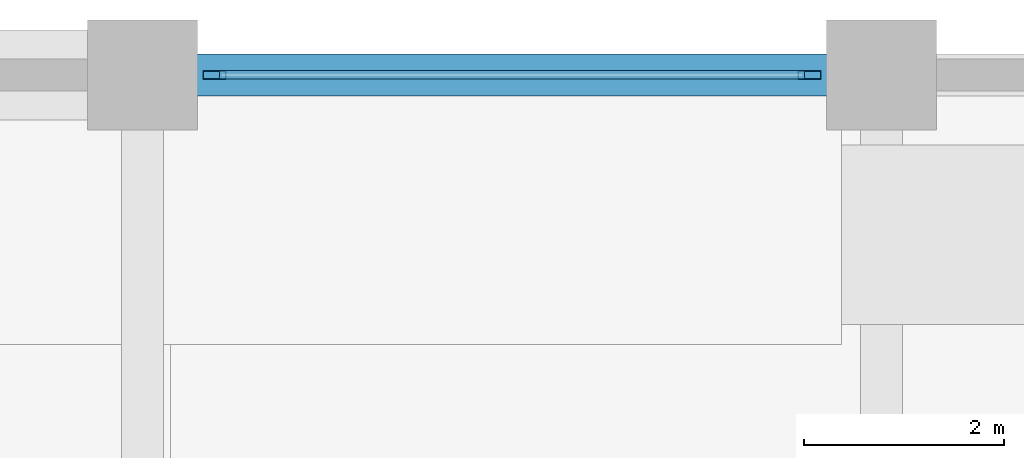
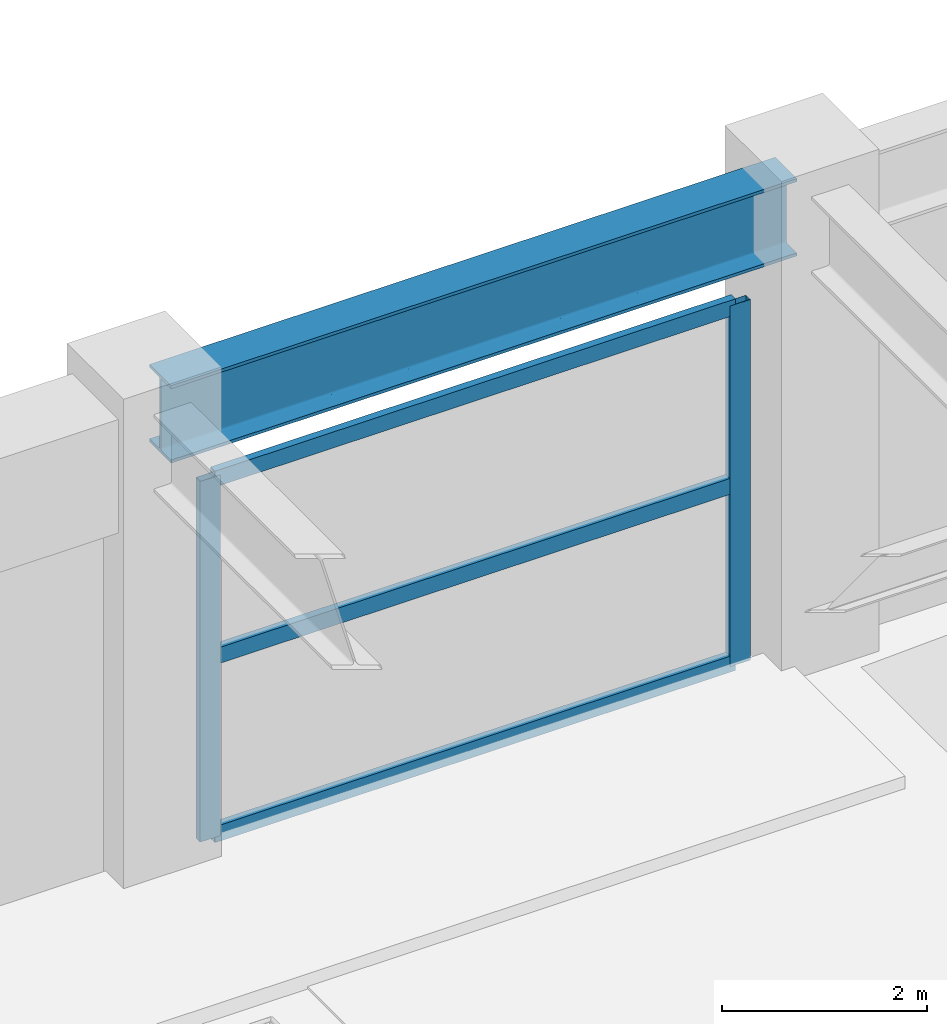
# One storey, part 19 of 41: 5 members, 1 beam, 1 element without a shape of its own.
"""IFC4 building model written with IfcOpenShell, lengths in metres."""

from ifc_helpers import new_model, si_unit, direction, frame, origin, origin_2d, place, context, subcontext, project, spatial, hollow_rectangle, i_section, extrude, material, material_profile, profile_set, type_object, element, aggregate, save


model = new_model("IFC4")

# Units and contexts
model_context = context("Model", 3, precision=1e-05, world=origin(), true_north=direction((0.0, 1.0)))
body_context = subcontext(model_context, "Body", "Model", "MODEL_VIEW")
ifc_project = project(units=[si_unit("LENGTHUNIT", "METRE"), si_unit("AREAUNIT", "SQUARE_METRE"), si_unit("VOLUMEUNIT", "CUBIC_METRE"), si_unit("PLANEANGLEUNIT", "RADIAN"), si_unit("MASSUNIT", "GRAM", prefix="KILO")], contexts=[model_context])

# Site, building, storey
site_placement = place(None, origin())
site = spatial("IfcSite", under=ifc_project, at=site_placement, CompositionType="ELEMENT")
building_placement = place(site_placement, origin())
building = spatial("IfcBuilding", under=site, at=building_placement, Name="Kovane Verandah Tower", CompositionType="ELEMENT")
storey_placement = place(building_placement, origin())
storey = spatial("IfcBuildingStorey", under=building, at=storey_placement, Name="L00", CompositionType="ELEMENT", Elevation=0.0)

# Beam
ifc_material_1 = material(Name="Steel S460", Category="steel")
ifc_material_profile_1 = material_profile(ifc_material_1, i_section(OverallWidth=0.42041015625, OverallDepth=0.9208984375, WebThickness=0.021484375, FlangeThickness=0.03662109375, FilletRadius=0.024169921875, at=origin_2d()), Name="UB914x419x388")
ifc_profile_set_1 = profile_set([ifc_material_profile_1], Name="Steel S460")
beam_type = type_object("IfcBeamType", Name="BM-UB914x388", PredefinedType="BEAM", material=ifc_profile_set_1)
beam_placement = place(storey_placement, frame((51.179931640625, 56.5, 5.239501953125), z_axis=(1.0, 0.0, 0.0), x_axis=(0.0, 1.0, 0.0)))
element("IfcBeam", 1, at=beam_placement, inside=storey, type_object=beam_type, Name="L00 Podium Grid Girder X28", PredefinedType="BEAM", context=body_context, shape_type="SweptSolid", body=[
    extrude(i_section(OverallWidth=0.42041015625, OverallDepth=0.9208984375, WebThickness=0.021484375, FlangeThickness=0.03662109375, FilletRadius=0.024169921875, at=origin_2d()), origin(), (0.0, 0.0, 1.0), 7.0400390625),
])

# Curtain wall, members
ifc_material_2 = material(Name="Champagne Anodised Aluminium Frame with Low-E Clear Laminated Glass", Category="aluminium")
curtain_wall_type = type_object("IfcCurtainWallType", Name="CW-SYS-01-POD", PredefinedType="NOTDEFINED", material=ifc_material_2)
curtain_wall_placement = place(storey_placement, origin())
curtain_wall = element("IfcCurtainWall", 2, at=curtain_wall_placement, inside=storey, type_object=curtain_wall_type, Name="Ground North Shopfront Curtain Wall Bay 5", PredefinedType="NOTDEFINED")
ifc_material_3 = material(Name="Champagne Anodised Aluminium 6063-T6", Category="aluminium")
ifc_material_profile_2 = material_profile(ifc_material_3, hollow_rectangle(XDim=0.0849609375, YDim=0.22998046875, WallThickness=0.00390625, at=origin_2d()), Name="AL85x230x4")
ifc_profile_set_2 = profile_set([ifc_material_profile_2], Name="Champagne Anodised Aluminium 6063-T6")
member_type_1 = type_object("IfcMemberType", Name="CW-MUL-85x230", PredefinedType="MULLION", material=ifc_profile_set_2)
member_1_placement = place(storey_placement, frame((57.679931640625, 56.5, 0.02001953125), z_axis=(0.0, 0.0, 1.0), x_axis=(0.0, 1.0, 0.0)))
member_1 = element("IfcMember", 3, at=member_1_placement, type_object=member_type_1, Name="Ground North Shopfront Curtain Wall Bay 5 Mullion 1", PredefinedType="MULLION", context=body_context, shape_type="SweptSolid", body=[
    extrude(hollow_rectangle(XDim=0.0849609375, YDim=0.22998046875, WallThickness=0.00390625, at=origin_2d()), origin(), (0.0, 0.0, 1.0), 4.2900390625),
])
member_2_placement = place(storey_placement, frame((51.719970703125, 56.5, 0.02001953125), z_axis=(0.0, 0.0, 1.0), x_axis=(0.0, 1.0, 0.0)))
member_2 = element("IfcMember", 4, at=member_2_placement, type_object=member_type_1, Name="Ground North Shopfront Curtain Wall Bay 5 Mullion 2", PredefinedType="MULLION", context=body_context, shape_type="SweptSolid", body=[
    extrude(hollow_rectangle(XDim=0.0849609375, YDim=0.22998046875, WallThickness=0.00390625, at=origin_2d()), origin(), (0.0, 0.0, 1.0), 4.2900390625),
])
ifc_material_profile_3 = material_profile(ifc_material_3, hollow_rectangle(XDim=0.0849609375, YDim=0.18994140625, WallThickness=0.00390625, at=origin_2d()), Name="AL85x190x4")
ifc_profile_set_3 = profile_set([ifc_material_profile_3], Name="Champagne Anodised Aluminium 6063-T6")
member_type_2 = type_object("IfcMemberType", Name="CW-TRN-85x190", PredefinedType="USERDEFINED", material=ifc_profile_set_3)
member_3_placement = place(storey_placement, frame((57.6298828125, 56.5, 0.050048828125), z_axis=(-1.0, 0.0, 0.0), x_axis=(0.0, -1.0, 0.0)))
member_3 = element("IfcMember", 5, at=member_3_placement, type_object=member_type_2, Name="Ground North Shopfront Curtain Wall Bay 5 Transom TB Bay 1", ObjectType="TRANSOM", PredefinedType="USERDEFINED", context=body_context, shape_type="SweptSolid", body=[
    extrude(hollow_rectangle(XDim=0.0849609375, YDim=0.18994140625, WallThickness=0.00390625, at=origin_2d()), origin(), (0.0, 0.0, 1.0), 5.85986328125),
])
member_4_placement = place(storey_placement, frame((57.6298828125, 56.5, 2.1650390625), z_axis=(-1.0, 0.0, 0.0), x_axis=(0.0, -1.0, 0.0)))
member_4 = element("IfcMember", 6, at=member_4_placement, type_object=member_type_2, Name="Ground North Shopfront Curtain Wall Bay 5 Transom TM Bay 1", ObjectType="TRANSOM", PredefinedType="USERDEFINED", context=body_context, shape_type="SweptSolid", body=[
    extrude(hollow_rectangle(XDim=0.0849609375, YDim=0.18994140625, WallThickness=0.00390625, at=origin_2d()), origin(), (0.0, 0.0, 1.0), 5.85986328125),
])
member_5_placement = place(storey_placement, frame((57.6298828125, 56.5, 4.280029296875), z_axis=(-1.0, 0.0, 0.0), x_axis=(0.0, -1.0, 0.0)))
member_5 = element("IfcMember", 7, at=member_5_placement, type_object=member_type_2, Name="Ground North Shopfront Curtain Wall Bay 5 Transom TT Bay 1", ObjectType="TRANSOM", PredefinedType="USERDEFINED", context=body_context, shape_type="SweptSolid", body=[
    extrude(hollow_rectangle(XDim=0.0849609375, YDim=0.18994140625, WallThickness=0.00390625, at=origin_2d()), origin(), (0.0, 0.0, 1.0), 5.85986328125),
])
aggregate(curtain_wall, [member_1, member_2, member_3, member_4, member_5])

save(model, "model.ifc")
